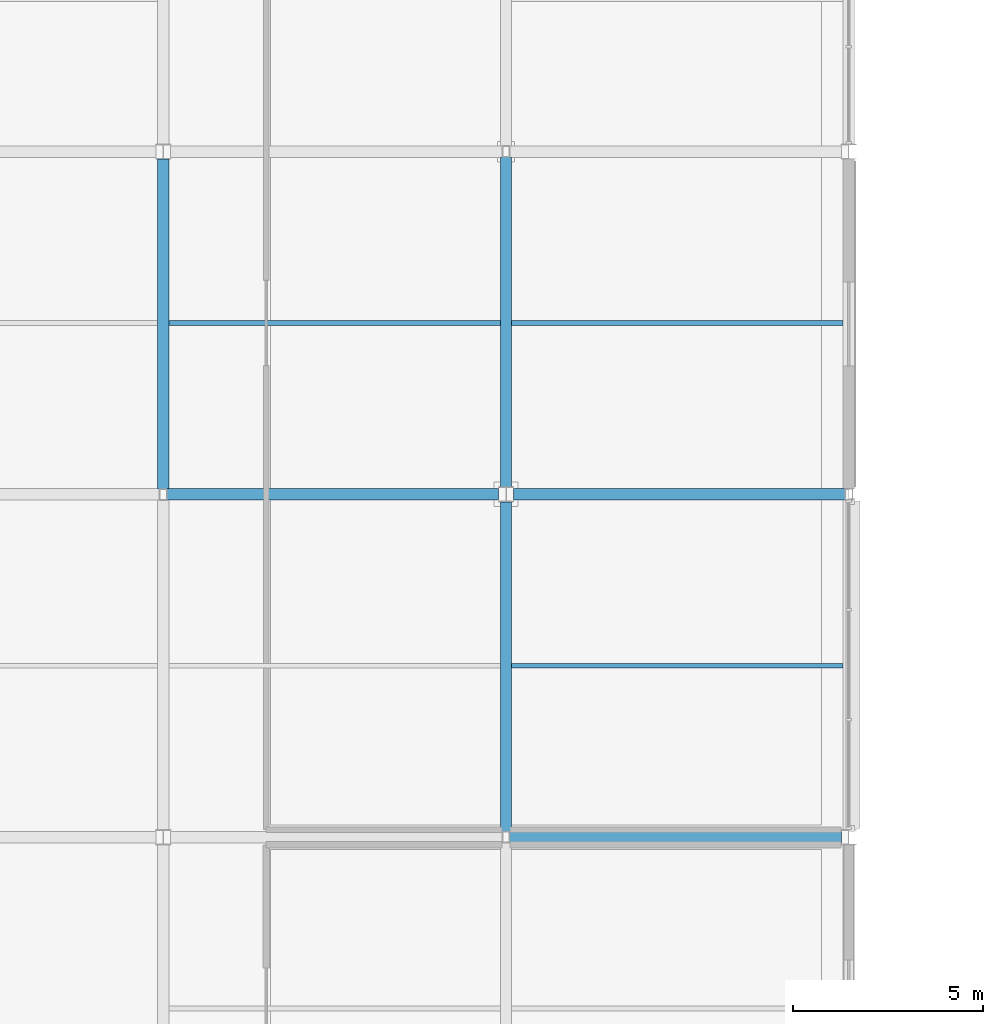
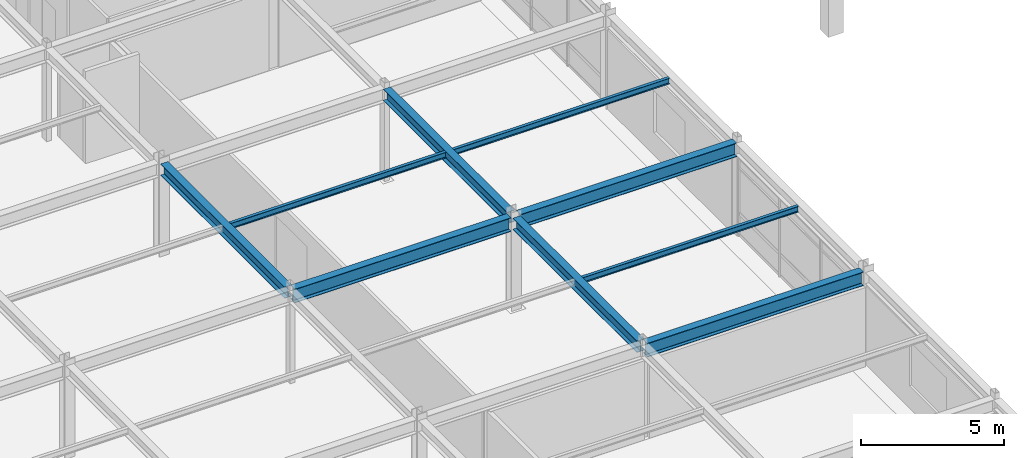
# One storey, part 24 of 105: 9 beams.
"""IFC4 building model written with IfcOpenShell, lengths in metres."""

import ifcopenshell
import ifcopenshell.guid

model = None  # the IFC model being written
_history = None  # IfcOwnerHistory: only IFC2X3 demands one
_inside = {}  # id of a spatial element -> (the spatial element, [elements in it])
_under = {}  # id of a project, library or spatial element -> (it, [spatial elements below it])
_declared = {}  # id of a project -> (the project, [libraries it declares])
_typed = {}  # id of a type object -> (the type object, [elements of that type])
_made_of = {}  # id of a material, layer set ... -> (it, [elements and type objects made of it])


def new_model(schema):
    """Start an empty IFC model of exactly this schema.

    Asked for "IFC4X3", IfcOpenShell would pick the latest addendum, in which some entities
    have other attributes; the version numbers below select the first issue.
    IFC2X3 requires an IfcOwnerHistory on every rooted entity: one is made here for all.
    """
    global model, _history
    if schema == "IFC4X3":
        model = ifcopenshell.file(schema_version=(4, 3, 0, 0))
    else:
        model = ifcopenshell.file(schema=schema)
    _inside.clear()
    _under.clear()
    _declared.clear()
    _typed.clear()
    _made_of.clear()
    _history = None
    if model.schema == "IFC2X3":
        org = make("IfcOrganization", Name="unknown")
        user = make(
            "IfcPersonAndOrganization",
            ThePerson=make("IfcPerson", FamilyName="unknown"),
            TheOrganization=org,
        )
        app = make(
            "IfcApplication",
            ApplicationDeveloper=org,
            Version="unknown",
            ApplicationFullName="unknown",
            ApplicationIdentifier="unknown",
        )
        _history = make(
            "IfcOwnerHistory",
            OwningUser=user,
            OwningApplication=app,
            ChangeAction="ADDED",
            CreationDate=0,
        )
    return model


def make(cls, **values):
    """One entity of the class cls with the attributes given. An attribute that is None is left unset."""
    return model.create_entity(
        cls, **{name: value for name, value in values.items() if value is not None}
    )


def rooted(cls, **values):
    """An entity with a GlobalId (a new one), such as an element, a storey or a relation."""
    return make(cls, GlobalId=ifcopenshell.guid.new(), OwnerHistory=_history, **values)


def si_unit(unit_type, name, prefix=None):
    """IfcSIUnit, for example si_unit("LENGTHUNIT", "METRE", prefix="MILLI")."""
    return make("IfcSIUnit", UnitType=unit_type, Prefix=prefix, Name=name)


def assignment(units):
    """IfcUnitAssignment: the units of a project."""
    return None if units is None else make("IfcUnitAssignment", Units=units)


def point(xyz):
    """IfcCartesianPoint."""
    return None if xyz is None else make("IfcCartesianPoint", Coordinates=xyz)


def direction(xyz):
    """IfcDirection."""
    return None if xyz is None else make("IfcDirection", DirectionRatios=xyz)


def frame(location, z_axis=None, x_axis=None):
    """IfcAxis2Placement3D, a coordinate frame: its origin and axes. An axis left out is left unset."""
    return make(
        "IfcAxis2Placement3D",
        Location=point(location),
        Axis=direction(z_axis),
        RefDirection=direction(x_axis),
    )


def frame_2d(location, x_axis=None):
    """IfcAxis2Placement2D, a coordinate frame in the plane: its origin and x axis."""
    return make(
        "IfcAxis2Placement2D", Location=point(location), RefDirection=direction(x_axis)
    )


def origin():
    """The frame at (0, 0, 0) with its axes left unset."""
    return frame((0.0, 0.0, 0.0))


def origin_2d():
    """The frame at (0, 0) in the plane with its x axis left unset."""
    return frame_2d((0.0, 0.0))


def place(relative_to, where):
    """IfcLocalPlacement: puts the frame where relative to a parent placement (None: the world)."""
    return make(
        "IfcLocalPlacement", PlacementRelTo=relative_to, RelativePlacement=where
    )


def context(
    kind, dimensions, precision=None, world=None, true_north=None, identifier=None
):
    """IfcGeometricRepresentationContext, for example the 3D "Model" context."""
    return make(
        "IfcGeometricRepresentationContext",
        ContextIdentifier=identifier,
        ContextType=kind,
        CoordinateSpaceDimension=dimensions,
        Precision=precision,
        WorldCoordinateSystem=world,
        TrueNorth=true_north,
    )


def subcontext(parent, identifier, kind, view, scale=None):
    """IfcGeometricRepresentationSubContext, for example "Body" below "Model"."""
    return make(
        "IfcGeometricRepresentationSubContext",
        ContextIdentifier=identifier,
        ContextType=kind,
        ParentContext=parent,
        TargetScale=scale,
        TargetView=view,
    )


def project(units=None, contexts=None):
    """IfcProject with its units and contexts."""
    return rooted(
        "IfcProject",
        Name="project",
        RepresentationContexts=contexts,
        UnitsInContext=assignment(units),
    )


def spatial(cls, under=None, at=None, **own):
    """A site, building, storey or space (cls), placed at a placement, below another one or the project."""
    s = rooted(cls, ObjectPlacement=at, **own)
    if under is not None:
        _under.setdefault(under.id(), (under, []))[1].append(s)
    return s


def profile(cls, at=None, kind="AREA", **sizes):
    """A parametric profile (cls). Its sizes go by their IFC names, for example OverallWidth=200.0."""
    return make(cls, ProfileType=kind, Position=at, **sizes)


def i_section(**sizes):
    """IfcIShapeProfileDef."""
    return profile("IfcIShapeProfileDef", **sizes)


def extrude(swept, where, along, depth):
    """IfcExtrudedAreaSolid: the profile swept, set in the frame where, extruded along a direction by depth."""
    return make(
        "IfcExtrudedAreaSolid",
        SweptArea=swept,
        Position=where,
        ExtrudedDirection=direction(along),
        Depth=depth,
    )


def shape(context_of_items, identifier, shape_type, items):
    """IfcShapeRepresentation: the items that make up one representation, for example the "Body"."""
    return make(
        "IfcShapeRepresentation",
        ContextOfItems=context_of_items,
        RepresentationIdentifier=identifier,
        RepresentationType=shape_type,
        Items=items,
    )


def material(Name=None, Category=None):
    """IfcMaterial."""
    return make("IfcMaterial", Name=Name, Category=Category)


def material_profile(
    of_material, cross_section, Name=None, Category=None, Priority=None
):
    """IfcMaterialProfile: a cross section and its material."""
    return make(
        "IfcMaterialProfile",
        Name=Name,
        Material=of_material,
        Profile=cross_section,
        Priority=Priority,
        Category=Category,
    )


def profile_set(profiles, Name=None, composite=None):
    """IfcMaterialProfileSet."""
    return make(
        "IfcMaterialProfileSet",
        Name=Name,
        MaterialProfiles=profiles,
        CompositeProfile=composite,
    )


def made_of(thing, what):
    """Note that an element or type object is made of a material, layer set ...; save() writes the relation."""
    if what is not None:
        _made_of.setdefault(what.id(), (what, []))[1].append(thing)
    return thing


def type_object(cls, material=None, **own):
    """A type object (cls), such as IfcWallType, which elements share."""
    return made_of(rooted(cls, **own), material)


def element(
    cls,
    number,
    at=None,
    inside=None,
    cuts=None,
    type_object=None,
    material=None,
    context=None,
    identifier="Body",
    shape_type=None,
    held_by="IfcProductDefinitionShape",
    body=None,
    shapes=None,
    **own,
):
    """One element of the class cls, such as IfcWall. Its Tag is "e" and its number.

    at: its placement. inside: the storey or other place that contains it. cuts: it is an
    opening in that element (IfcRelVoidsElement). A single representation is given by context,
    identifier, shape_type and body (its items); several are given by shapes. held_by: the class
    of the entity that holds the representations. save() writes the other relations.
    """
    e = rooted(cls, Tag="e%d" % number, ObjectPlacement=at, **own)
    if body is not None:
        shapes = [shape(context, identifier, shape_type, body)]
    if shapes is not None:
        e.Representation = make(held_by, Representations=shapes)
    if inside is not None:
        _inside.setdefault(inside.id(), (inside, []))[1].append(e)
    if cuts is not None:
        rooted(
            "IfcRelVoidsElement", RelatingBuildingElement=cuts, RelatedOpeningElement=e
        )
    if type_object is not None:
        _typed.setdefault(type_object.id(), (type_object, []))[1].append(e)
    return made_of(e, material)


def aggregate(whole, parts):
    """IfcRelAggregates: a whole, such as a stair, and the parts it consists of."""
    return rooted("IfcRelAggregates", RelatingObject=whole, RelatedObjects=parts)


def save(model, path):
    """Write the relations noted so far, then the file.

    IfcRelAggregates (storeys below a building ...), IfcRelContainedInSpatialStructure (elements
    in a storey), IfcRelDefinesByType, IfcRelAssociatesMaterial and IfcRelDeclares: one each for
    every whole, place, type object, material and project.
    """
    for whole, parts in _under.values():
        aggregate(whole, parts)
    for where, things in _inside.values():
        rooted(
            "IfcRelContainedInSpatialStructure",
            RelatedElements=things,
            RelatingStructure=where,
        )
    for kind, things in _typed.values():
        rooted("IfcRelDefinesByType", RelatedObjects=things, RelatingType=kind)
    for what, things in _made_of.values():
        rooted("IfcRelAssociatesMaterial", RelatedObjects=things, RelatingMaterial=what)
    for by, libraries in _declared.values():
        rooted("IfcRelDeclares", RelatingContext=by, RelatedDefinitions=libraries)
    model.write(path)


model = new_model("IFC4")

# Units and contexts
model_context = context("Model", 3, precision=1e-05, world=origin(), true_north=direction((0.0, 1.0)))
body_context = subcontext(model_context, "Body", "Model", "MODEL_VIEW")
ifc_project = project(units=[si_unit("LENGTHUNIT", "METRE"), si_unit("AREAUNIT", "SQUARE_METRE"), si_unit("VOLUMEUNIT", "CUBIC_METRE"), si_unit("PLANEANGLEUNIT", "RADIAN"), si_unit("MASSUNIT", "GRAM", prefix="KILO")], contexts=[model_context])

# Site, building, storey
site_placement = place(None, origin())
site = spatial("IfcSite", under=ifc_project, at=site_placement, CompositionType="ELEMENT")
building_placement = place(site_placement, origin())
building = spatial("IfcBuilding", under=site, at=building_placement, Name="Suzunagisa Mobility Hub", CompositionType="ELEMENT")
storey_placement = place(building_placement, frame((0.0, 0.0, 5.10009765625)))
storey = spatial("IfcBuildingStorey", under=building, at=storey_placement, Name="L01", CompositionType="ELEMENT", Elevation=5.10009765625)

# Beams
ifc_material_1 = material(Name="Steel SN490B", Category="steel")
ifc_material_profile_1 = material_profile(ifc_material_1, i_section(OverallWidth=0.300048828125, OverallDepth=0.488037109375, WebThickness=0.010986328125, FlangeThickness=0.01806640625, FilletRadius=0.012939453125, at=origin_2d()), Name="H-488x300x11x18")
ifc_profile_set_1 = profile_set([ifc_material_profile_1], Name="Steel SN490B")
beam_type_1 = type_object("IfcBeamType", Name="Steel Beam BM-06 H-488x300x11x18", PredefinedType="BEAM", material=ifc_profile_set_1)
for number, where, z_axis, x_axis, name in (
    (1, (18.0, 27.14599609375, 3.7158203125), (0.0, 1.0, 0.0), (-1.0, 0.0, 0.0), "L01 Primary Girder GY-221"),
    (2, (27.0, 18.14599609375, 3.7158203125), (0.0, 1.0, 0.0), (-1.0, 0.0, 0.0), "L01 Primary Girder GY-226"),
    (3, (27.0, 27.196044921875, 3.7158203125), (0.0, 1.0, 0.0), (-1.0, 0.0, 0.0), "L01 Primary Girder GY-227"),
):
    element("IfcBeam", number, at=place(storey_placement, frame(where, z_axis=z_axis, x_axis=x_axis)), inside=storey, type_object=beam_type_1, Name=name, PredefinedType="BEAM", context=body_context, shape_type="SweptSolid", body=[
        extrude(i_section(OverallWidth=0.300048828125, OverallDepth=0.488037109375, WebThickness=0.010986328125, FlangeThickness=0.01806640625, FilletRadius=0.012939453125, at=origin_2d()), origin(), (0.0, 0.0, 1.0), 8.657958984375),
    ])
ifc_material_profile_2 = material_profile(ifc_material_1, i_section(OverallWidth=0.300048828125, OverallDepth=0.587890625, WebThickness=0.011962890625, FlangeThickness=0.02001953125, FilletRadius=0.012939453125, at=origin_2d()), Name="H-588x300x12x20")
ifc_profile_set_2 = profile_set([ifc_material_profile_2], Name="Steel SN490B")
beam_type_2 = type_object("IfcBeamType", Name="Steel Beam BM-16 H-588x300x12x20", PredefinedType="BEAM", material=ifc_profile_set_2)
for number, where, z_axis, x_axis, name in (
    (4, (27.095947265625, 18.0, 3.666015625), (1.0, 0.0, 0.0), (0.0, 1.0, 0.0), "L01 Primary Girder GX-187"),
    (5, (18.095947265625, 27.0, 3.666015625), (1.0, 0.0, 0.0), (0.0, 1.0, 0.0), "L01 Primary Girder GX-190"),
    (6, (27.196044921875, 27.0, 3.666015625), (1.0, 0.0, 0.0), (0.0, 1.0, 0.0), "L01 Primary Girder GX-191"),
):
    element("IfcBeam", number, at=place(storey_placement, frame(where, z_axis=z_axis, x_axis=x_axis)), inside=storey, type_object=beam_type_2, Name=name, PredefinedType="BEAM", context=body_context, shape_type="SweptSolid", body=[
        extrude(i_section(OverallWidth=0.300048828125, OverallDepth=0.587890625, WebThickness=0.011962890625, FlangeThickness=0.02001953125, FilletRadius=0.012939453125, at=origin_2d()), origin(), (0.0, 0.0, 1.0), 8.7080078125),
    ])
ifc_material_2 = material(Name="Steel SN400B", Category="steel")
ifc_material_profile_3 = material_profile(ifc_material_2, i_section(OverallWidth=0.125, OverallDepth=0.25, WebThickness=0.006103515625, FlangeThickness=0.009033203125, FilletRadius=0.008056640625, at=origin_2d()), Name="H-250x125x6x9")
ifc_profile_set_3 = profile_set([ifc_material_profile_3], Name="Steel SN400B")
beam_type_3 = type_object("IfcBeamType", Name="Steel Beam BM-21 H-250x125x6x9", PredefinedType="JOIST", material=ifc_profile_set_3)
for number, where, z_axis, x_axis, name in (
    (7, (18.14990234375, 31.5, 3.8349609375), (1.0, 0.0, 0.0), (0.0, 1.0, 0.0), "L01 Composite Floor Joist J-249"),
    (8, (27.14990234375, 22.5, 3.8349609375), (1.0, 0.0, 0.0), (0.0, 1.0, 0.0), "L01 Composite Floor Joist J-253"),
    (9, (27.14990234375, 31.5, 3.8349609375), (1.0, 0.0, 0.0), (0.0, 1.0, 0.0), "L01 Composite Floor Joist J-254"),
):
    element("IfcBeam", number, at=place(storey_placement, frame(where, z_axis=z_axis, x_axis=x_axis)), inside=storey, type_object=beam_type_3, Name=name, PredefinedType="JOIST", context=body_context, shape_type="SweptSolid", body=[
        extrude(i_section(OverallWidth=0.125, OverallDepth=0.25, WebThickness=0.006103515625, FlangeThickness=0.009033203125, FilletRadius=0.008056640625, at=origin_2d()), origin(), (0.0, 0.0, 1.0), 8.7001953125),
    ])

save(model, "model.ifc")
